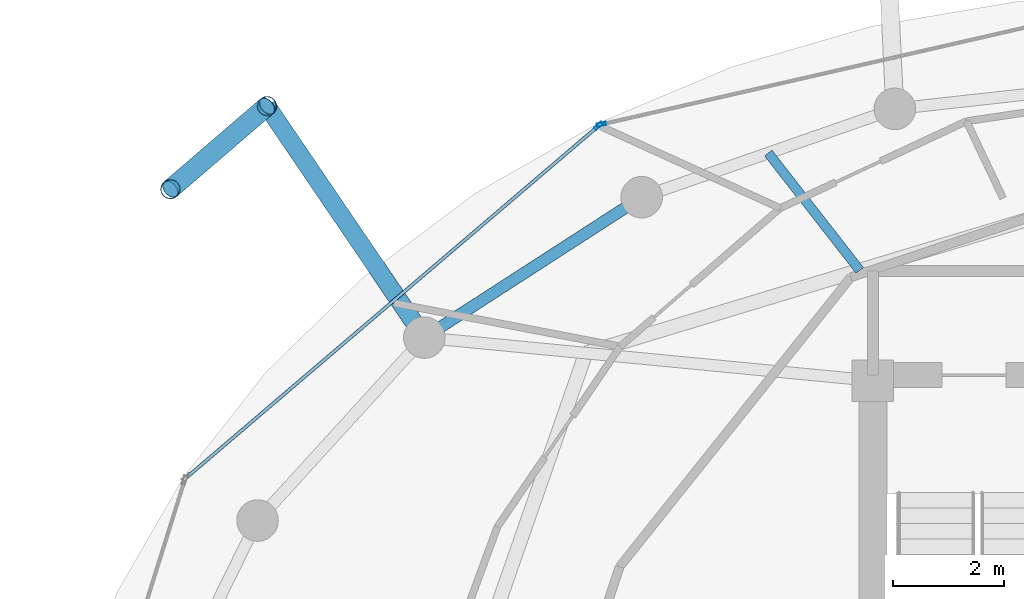
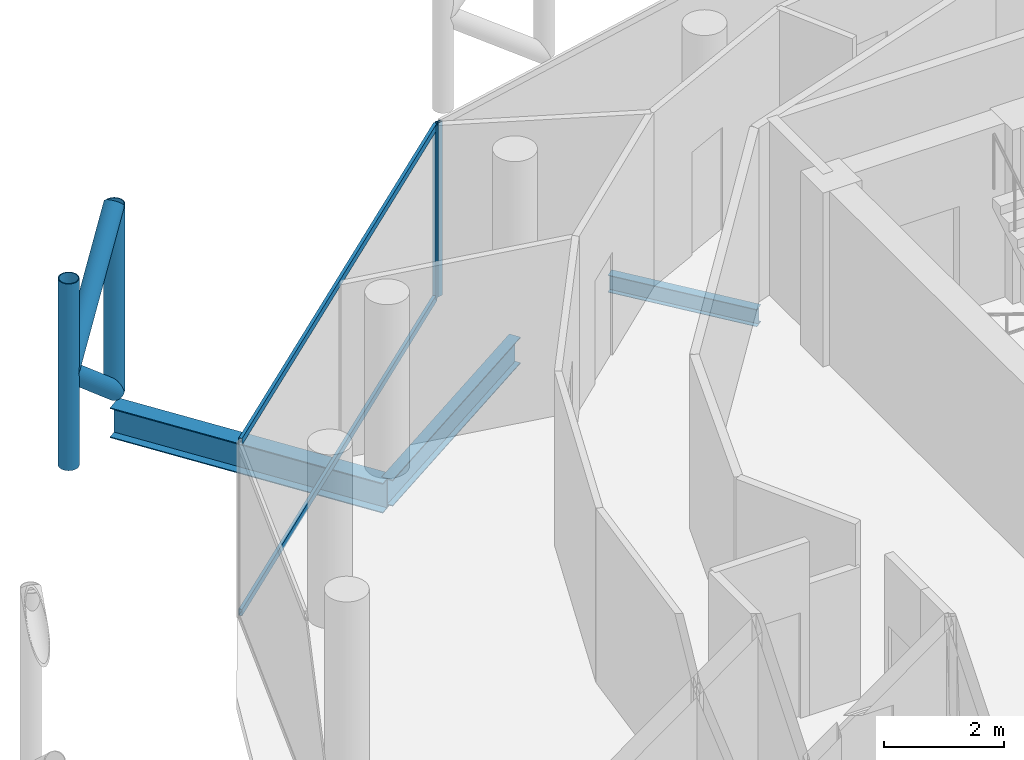
# One storey, part 15 of 24: 8 members, 3 beams, 2 elements without a shape of their own.
"""IFC4 building model written with IfcOpenShell, lengths in metres."""

from ifc_helpers import new_model, si_unit, direction, frame, origin, origin_2d, place, context, subcontext, project, spatial, hollow_rectangle, hollow_circle, i_section, extrude, material, layer, layer_set, material_profile, profile_set, type_object, element, aggregate, save


model = new_model("IFC4")

# Units and contexts
model_context = context("Model", 3, precision=1e-05, world=origin(), true_north=direction((0.0, 1.0)))
body_context = subcontext(model_context, "Body", "Model", "MODEL_VIEW")
ifc_project = project(units=[si_unit("LENGTHUNIT", "METRE"), si_unit("AREAUNIT", "SQUARE_METRE"), si_unit("VOLUMEUNIT", "CUBIC_METRE"), si_unit("PLANEANGLEUNIT", "RADIAN"), si_unit("MASSUNIT", "GRAM", prefix="KILO")], contexts=[model_context])

# Site, building, storey
site_placement = place(None, origin())
site = spatial("IfcSite", under=ifc_project, at=site_placement, CompositionType="ELEMENT")
building_placement = place(site_placement, origin())
building = spatial("IfcBuilding", under=site, at=building_placement, Name="Nuhasar Tower", CompositionType="ELEMENT")
storey_placement = place(building_placement, frame((0.0, 0.0, 293.60009765625)))
storey = spatial("IfcBuildingStorey", under=building, at=storey_placement, Name="L73", CompositionType="ELEMENT", Elevation=293.60009765625)

# Beams
ifc_material_1 = material(Name="Steel S355", Category="steel")
ifc_material_profile_1 = material_profile(ifc_material_1, i_section(OverallWidth=0.1708984375, OverallDepth=0.35205078125, WebThickness=0.0068359375, FlangeThickness=0.009765625, at=origin_2d()), Name="W14X30")
ifc_profile_set_1 = profile_set([ifc_material_profile_1], Name="Steel S355")
beam_type_1 = type_object("IfcBeamType", Name="BM-JST-W14X30", PredefinedType="JOIST", material=ifc_profile_set_1)
beam_1_placement = place(storey_placement, frame((33.4609375, 39.29296875, -0.43603515625), z_axis=(-0.614953767351, 0.788563164256, 0.0), x_axis=(-0.788563164256, -0.614953767351, 0.0)))
element("IfcBeam", 1, at=beam_1_placement, inside=storey, type_object=beam_type_1, Name="L73 Secondary Floor Joist 06", PredefinedType="JOIST", context=body_context, shape_type="SweptSolid", body=[
    extrude(i_section(OverallWidth=0.1708984375, OverallDepth=0.35205078125, WebThickness=0.0068359375, FlangeThickness=0.009765625, at=origin_2d()), origin(), (0.0, 0.0, 1.0), 2.6845703125),
])
ifc_material_profile_2 = material_profile(ifc_material_1, i_section(OverallWidth=0.2099609375, OverallDepth=0.537109375, WebThickness=0.010986328125, FlangeThickness=0.017333984375, at=origin_2d()), Name="W21X68")
ifc_profile_set_2 = profile_set([ifc_material_profile_2], Name="Steel S355")
beam_type_2 = type_object("IfcBeamType", Name="BM-RING-W21X68", PredefinedType="SPANDREL", material=ifc_profile_set_2)
beam_2_placement = place(storey_placement, frame((29.52490234375, 40.613037109375, -0.529052734375), z_axis=(-0.840001671147, -0.54258381147, 0.0), x_axis=(0.54258381147, -0.840001671147, 0.0)))
element("IfcBeam", 2, at=beam_2_placement, inside=storey, type_object=beam_type_2, Name="L73 Perimeter Ring Spandrel 09", PredefinedType="SPANDREL", context=body_context, shape_type="SweptSolid", body=[
    extrude(i_section(OverallWidth=0.2099609375, OverallDepth=0.537109375, WebThickness=0.010986328125, FlangeThickness=0.017333984375, at=origin_2d()), origin(), (0.0, 0.0, 1.0), 4.67236328125),
])
ifc_material_profile_3 = material_profile(ifc_material_1, i_section(OverallWidth=0.323974609375, OverallDepth=0.611083984375, WebThickness=0.0126953125, FlangeThickness=0.01904296875, at=origin_2d()), Name="W24X104")
ifc_profile_set_3 = profile_set([ifc_material_profile_3], Name="Steel S355")
beam_type_3 = type_object("IfcBeamType", Name="BM-TIE-W24X104", PredefinedType="BEAM", material=ifc_profile_set_3)
beam_3_placement = place(storey_placement, frame((25.60009765625, 38.077880859375, -0.566162109375), z_axis=(-0.562070792096, 0.827089127405, 0.0), x_axis=(-0.827089127405, -0.562070792096, 0.0)))
element("IfcBeam", 3, at=beam_3_placement, inside=storey, type_object=beam_type_3, Name="L73 Exoskeleton Node Tie Beam 05", PredefinedType="BEAM", context=body_context, shape_type="SweptSolid", body=[
    extrude(i_section(OverallWidth=0.323974609375, OverallDepth=0.611083984375, WebThickness=0.0126953125, FlangeThickness=0.01904296875, at=origin_2d()), origin(), (0.0, 0.0, 1.0), 5.052978515625),
])

# Curtain wall, member
ifc_material_2 = material(Name="Aluminium 6063-T6", Category="aluminium")
ifc_layer = layer(ifc_material_2, 0.18994140625)
ifc_layer_set = layer_set([ifc_layer], Name="Aluminium 6063-T6")
curtain_wall_type = type_object("IfcCurtainWallType", Name="CW-Z4-PEN", PredefinedType="NOTDEFINED", material=ifc_layer_set)
curtain_wall_1_placement = place(storey_placement, origin())
curtain_wall_1 = element("IfcCurtainWall", 4, at=curtain_wall_1_placement, inside=storey, type_object=curtain_wall_type, Name="L73 Unitised Curtain Wall 04", PredefinedType="NOTDEFINED")
ifc_material_profile_4 = material_profile(ifc_material_2, hollow_rectangle(XDim=0.06005859375, YDim=0.1650390625, WallThickness=0.0048828125, at=origin_2d()), Name="CWM-5")
ifc_profile_set_4 = profile_set([ifc_material_profile_4], Name="Aluminium 6063-T6")
member_type_1 = type_object("IfcMemberType", Name="CW-MUL-S5", PredefinedType="MULLION", material=ifc_profile_set_4)
member_1_placement = place(storey_placement, frame((28.79931640625, 41.927734375, 0.0), z_axis=(0.0, 0.0, 1.0), x_axis=(0.222889487645, -0.97484371891, 0.0)))
member_1 = element("IfcMember", 5, at=member_1_placement, type_object=member_type_1, Name="CW-Z4 mullion 2", PredefinedType="MULLION", context=body_context, shape_type="SweptSolid", body=[
    extrude(hollow_rectangle(XDim=0.06005859375, YDim=0.1650390625, WallThickness=0.0048828125, at=origin_2d()), origin(), (0.0, 0.0, 1.0), 3.539794921875),
])
aggregate(curtain_wall_1, [member_1])

# Curtain wall, members
curtain_wall_2_placement = place(storey_placement, origin())
curtain_wall_2 = element("IfcCurtainWall", 6, at=curtain_wall_2_placement, inside=storey, type_object=curtain_wall_type, Name="L73 Unitised Curtain Wall 05", PredefinedType="NOTDEFINED")
member_2_placement = place(storey_placement, frame((28.7470703125, 41.901611328125, 0.0), z_axis=(0.0, 0.0, 1.0), x_axis=(0.649141996205, -0.760667252327, 0.0)))
member_2 = element("IfcMember", 7, at=member_2_placement, type_object=member_type_1, Name="CW-Z4 mullion 1", PredefinedType="MULLION", context=body_context, shape_type="SweptSolid", body=[
    extrude(hollow_rectangle(XDim=0.06005859375, YDim=0.1650390625, WallThickness=0.0048828125, at=origin_2d()), origin(), (0.0, 0.0, 1.0), 3.539794921875),
])
ifc_material_profile_5 = material_profile(ifc_material_2, hollow_rectangle(XDim=0.06005859375, YDim=0.135009765625, WallThickness=0.00439453125, at=origin_2d()), Name="CWT-5")
ifc_profile_set_5 = profile_set([ifc_material_profile_5], Name="Aluminium 6063-T6")
member_type_2 = type_object("IfcMemberType", Name="CW-TRN-S5", PredefinedType="USERDEFINED", material=ifc_profile_set_5)
member_3_placement = place(storey_placement, frame((28.724365234375, 41.882080078125, 0.02978515625), z_axis=(-0.760660035709, -0.649150452573, 0.0), x_axis=(0.649150452573, -0.760660035709, 0.0)))
member_3 = element("IfcMember", 8, at=member_3_placement, type_object=member_type_2, Name="CW-Z4 transom 1.1", ObjectType="TRANSOM", PredefinedType="USERDEFINED", context=body_context, shape_type="SweptSolid", body=[
    extrude(hollow_rectangle(XDim=0.06005859375, YDim=0.135009765625, WallThickness=0.00439453125, at=origin_2d()), origin(), (0.0, 0.0, 1.0), 9.725341796875),
])
member_4_placement = place(storey_placement, frame((28.724365234375, 41.882080078125, 3.510009765625), z_axis=(-0.760660035709, -0.649150452573, 0.0), x_axis=(0.649150452573, -0.760660035709, 0.0)))
member_4 = element("IfcMember", 9, at=member_4_placement, type_object=member_type_2, Name="CW-Z4 transom 1.2", ObjectType="TRANSOM", PredefinedType="USERDEFINED", context=body_context, shape_type="SweptSolid", body=[
    extrude(hollow_rectangle(XDim=0.06005859375, YDim=0.135009765625, WallThickness=0.00439453125, at=origin_2d()), origin(), (0.0, 0.0, 1.0), 9.725341796875),
])
aggregate(curtain_wall_2, [member_2, member_3, member_4])

# Members
ifc_material_3 = material(Name="Steel S460", Category="steel")
ifc_material_profile_6 = material_profile(ifc_material_3, hollow_circle(Radius=0.177734375, WallThickness=0.015869140625, at=origin_2d()), Name="HSS355.6X15.9")
ifc_profile_set_6 = profile_set([ifc_material_profile_6], Name="Steel S460")
member_type_3 = type_object("IfcMemberType", Name="EXO-BRONZE-356", PredefinedType="BRACE", material=ifc_profile_set_6)
for number, where, z_axis, x_axis, name in (
    (10, (22.760009765625, 42.257080078125, 0.0), (0.0, 0.0, 1.0), (1.0, 0.0, 0.0), "L73 Exoskeleton Chord Column EC-05A"),
    (11, (21.01611328125, 40.758056640625, 0.0), (0.0, 0.0, 1.0), (1.0, 0.0, 0.0), "L73 Exoskeleton Chord Column EC-05B"),
):
    element("IfcMember", number, at=place(storey_placement, frame(where, z_axis=z_axis, x_axis=x_axis)), inside=storey, type_object=member_type_3, Name=name, PredefinedType="BRACE", context=body_context, shape_type="SweptSolid", body=[
        extrude(hollow_circle(Radius=0.177734375, WallThickness=0.015869140625, at=origin_2d()), origin(), (0.0, 0.0, 1.0), 3.7998046875),
    ])
for number, where, z_axis, x_axis, name in (
    (12, (22.760009765625, 42.257080078125, 0.0), (-0.584625223306, -0.502533791278, 0.636924749792), (0.65185738425, -0.758341579104, 0.0), "L73 Bronze Diagrid Brace W1-05"),
    (13, (21.01611328125, 40.758056640625, 1.89990234375), (0.584625223306, 0.502533791278, 0.636924749792), (-0.65185738425, 0.758341579104, 0.0), "L73 Bronze Diagrid Brace W2-05"),
):
    element("IfcMember", number, at=place(storey_placement, frame(where, z_axis=z_axis, x_axis=x_axis)), inside=storey, type_object=member_type_3, Name=name, PredefinedType="BRACE", context=body_context, shape_type="SweptSolid", body=[
        extrude(hollow_circle(Radius=0.177734375, WallThickness=0.015869140625, at=origin_2d()), origin(), (0.0, 0.0, 1.0), 2.98291015625),
    ])

save(model, "model.ifc")
